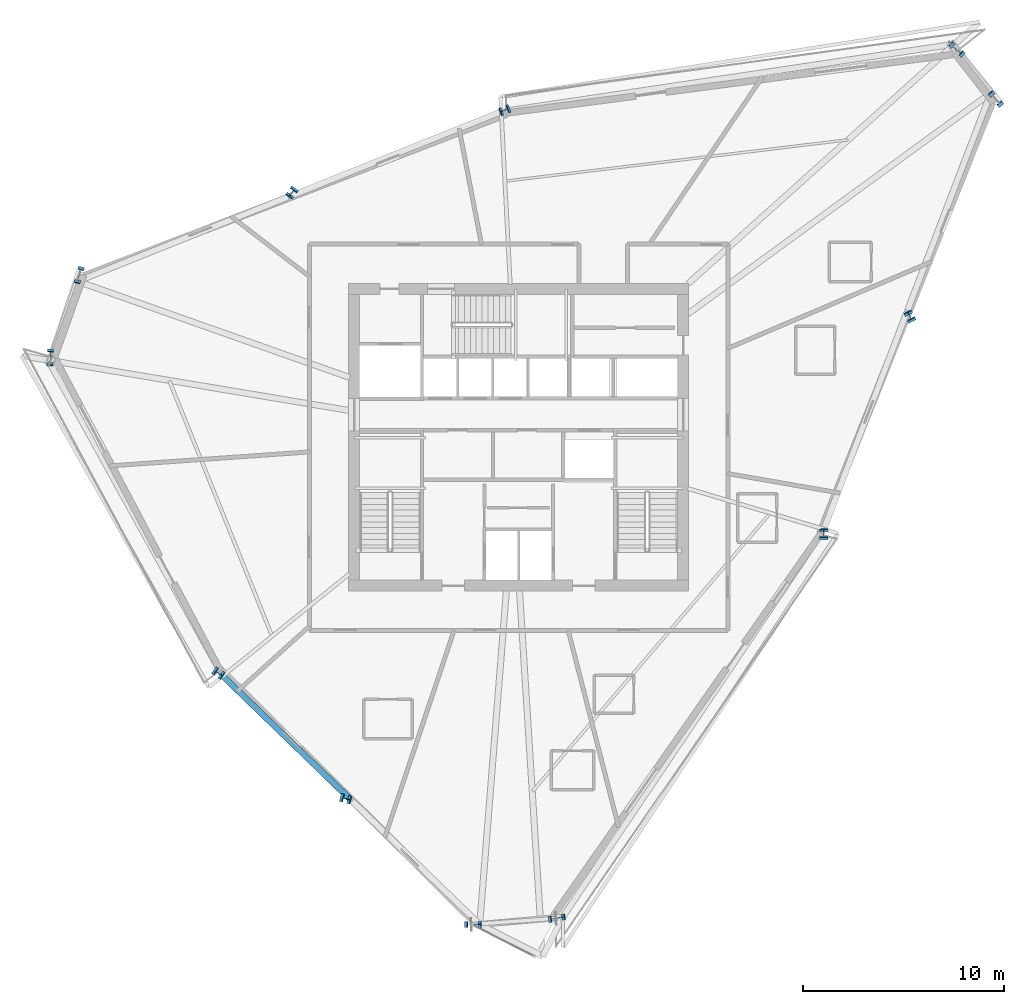
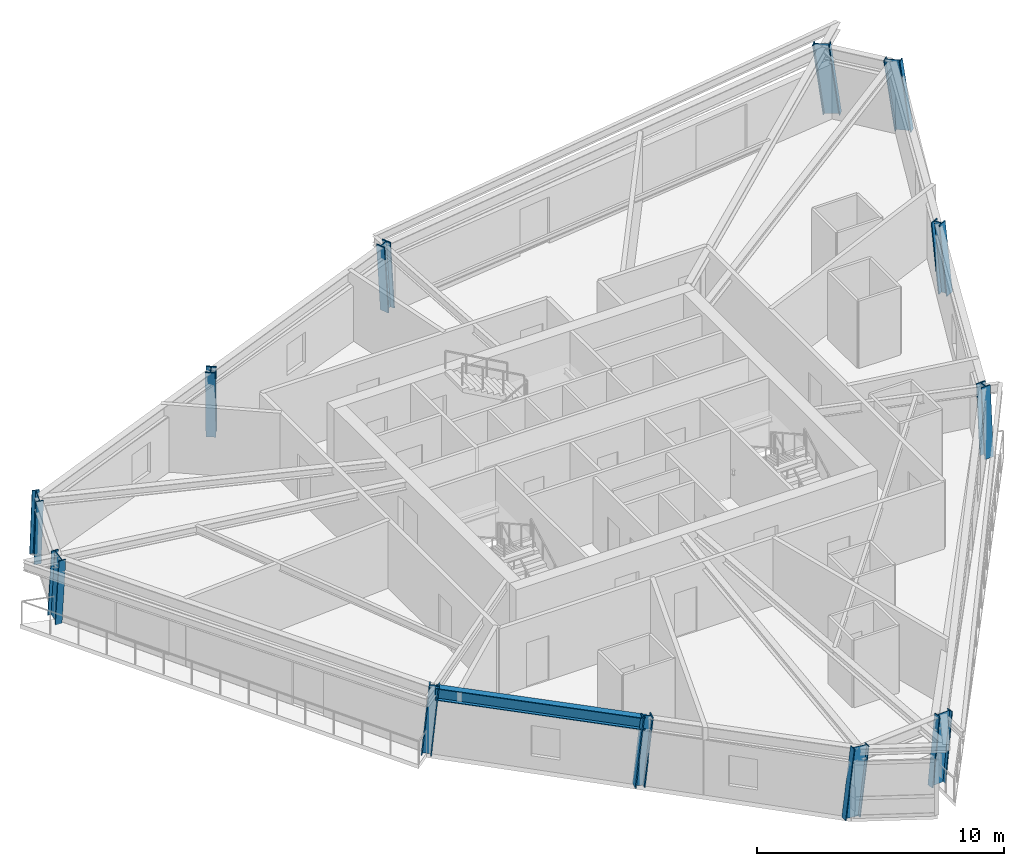
# One storey, part 1 of 13: 12 columns, 1 beam.
"""IFC4 building model written with IfcOpenShell, lengths in metres."""

from ifc_helpers import new_model, si_unit, direction, frame, origin, origin_2d, place, context, subcontext, project, spatial, i_section, extrude, source, transform, mapped, material, material_profile, profile_set, type_object, element, save


model = new_model("IFC4")

# Units and contexts
model_context = context("Model", 3, precision=1e-05, world=origin(), true_north=direction((0.0, 1.0)))
body_context = subcontext(model_context, "Body", "Model", "MODEL_VIEW")
ifc_project = project(units=[si_unit("LENGTHUNIT", "METRE"), si_unit("AREAUNIT", "SQUARE_METRE"), si_unit("VOLUMEUNIT", "CUBIC_METRE"), si_unit("PLANEANGLEUNIT", "RADIAN"), si_unit("MASSUNIT", "GRAM", prefix="KILO")], contexts=[model_context])

# Site, building, storey
site_placement = place(None, origin())
site = spatial("IfcSite", under=ifc_project, at=site_placement, CompositionType="ELEMENT")
building_placement = place(site_placement, origin())
building = spatial("IfcBuilding", under=site, at=building_placement, Name="Olszyna Solenne Hotel", CompositionType="ELEMENT")
storey_placement = place(building_placement, frame((0.0, 0.0, 189.199951171875)))
storey = spatial("IfcBuildingStorey", under=building, at=storey_placement, Name="L50", CompositionType="ELEMENT", Elevation=189.199951171875)

# Columns
ifc_material_1 = material(Name="Steel S460M", Category="steel")
ifc_material_profile_1 = material_profile(ifc_material_1, i_section(OverallWidth=0.303955078125, OverallDepth=0.716064453125, WebThickness=0.02099609375, FlangeThickness=0.0400390625, at=origin_2d()), Name="HEM 700", Category="load-bearing")
ifc_profile_set_1 = profile_set([ifc_material_profile_1], Name="Steel S460M")
column_type_1 = type_object("IfcColumnType", Name="COL-K2", PredefinedType="COLUMN", material=ifc_profile_set_1)
shared_shape_1 = source(origin(), body_context, "Body", "SweptSolid", [
    extrude(i_section(OverallWidth=0.303955078125, OverallDepth=0.716064453125, WebThickness=0.02099609375, FlangeThickness=0.0400390625, at=origin_2d()), origin(), (0.0, 0.0, 1.0), 3.40380859375),
])
column_1_placement = place(storey_placement, frame((39.833984375, 2.68798828125, 0.0), z_axis=(0.103498034536, 0.018576570301, 0.994456166899), x_axis=(-0.176664062794, 0.984271206994, 0.0)))
element("IfcColumn", 1, at=column_1_placement, inside=storey, type_object=column_type_1, Name="Perimeter framed-tube column COL-K2 C-L50-10", PredefinedType="COLUMN", context=body_context, shape_type="MappedRepresentation", body=[
    mapped(shared_shape_1, transform((0.0, 0.0, 0.0), x_axis=(1.0, 0.0, 0.0), y_axis=(0.0, 1.0, 0.0), z_axis=(0.0, 0.0, 1.0), scale=1.0)),
])
ifc_material_profile_2 = material_profile(ifc_material_1, i_section(OverallWidth=0.412109375, OverallDepth=0.43505859375, WebThickness=0.031494140625, FlangeThickness=0.050048828125, at=origin_2d()), Name="HD 400x463", Category="load-bearing")
ifc_profile_set_2 = profile_set([ifc_material_profile_2], Name="Steel S460M")
column_type_2 = type_object("IfcColumnType", Name="COL-T3", PredefinedType="COLUMN", material=ifc_profile_set_2)
shared_shape_2 = source(origin(), body_context, "Body", "SweptSolid", [
    extrude(i_section(OverallWidth=0.412109375, OverallDepth=0.43505859375, WebThickness=0.031494140625, FlangeThickness=0.050048828125, at=origin_2d()), origin(), (0.0, 0.0, 1.0), 3.395751953125),
])
column_2_placement = place(storey_placement, frame((53.16357421875, 21.7431640625, 0.0), z_axis=(-0.001509764212, 0.079873716149, 0.996803847344), x_axis=(-0.999821407128, -0.018898514446, 0.0)))
element("IfcColumn", 2, at=column_2_placement, inside=storey, type_object=column_type_2, Name="Perimeter framed-tube column COL-T3 C-L50-11", PredefinedType="COLUMN", context=body_context, shape_type="MappedRepresentation", body=[
    mapped(shared_shape_2, transform((0.0, 0.0, 0.0), x_axis=(1.0, 0.0, 0.0), y_axis=(0.0, 1.0, 0.0), z_axis=(0.0, 0.0, 1.0), scale=1.0)),
])
shared_shape_3 = source(origin(), body_context, "Body", "SweptSolid", [
    extrude(i_section(OverallWidth=0.412109375, OverallDepth=0.43505859375, WebThickness=0.031494140625, FlangeThickness=0.050048828125, at=origin_2d()), origin(), (0.0, 0.0, 1.0), 3.4033203125),
])
column_3_placement = place(storey_placement, frame((57.4677734375, 32.54443359375, 0.0), z_axis=(-0.046628569909, 0.092468040943, 0.994623264293), x_axis=(-0.892898044648, -0.450258905369, 0.0)))
element("IfcColumn", 3, at=column_3_placement, inside=storey, type_object=column_type_2, Name="Perimeter framed-tube column COL-T3 C-L50-12", PredefinedType="COLUMN", context=body_context, shape_type="MappedRepresentation", body=[
    mapped(shared_shape_3, transform((0.0, 0.0, 0.0), x_axis=(1.0, 0.0, 0.0), y_axis=(0.0, 1.0, 0.0), z_axis=(0.0, 0.0, 1.0), scale=1.0)),
])
shared_shape_4 = source(origin(), body_context, "Body", "SweptSolid", [
    extrude(i_section(OverallWidth=0.303955078125, OverallDepth=0.716064453125, WebThickness=0.02099609375, FlangeThickness=0.0400390625, at=origin_2d()), origin(), (0.0, 0.0, 1.0), 3.40283203125),
])
column_4_placement = place(storey_placement, frame((14.718505859375, 30.630615234375, 0.0), z_axis=(-0.005955083855, -0.101810409526, 0.994785995824), x_axis=(0.998293726081, -0.058392092505, 0.0)))
element("IfcColumn", 4, at=column_4_placement, inside=storey, type_object=column_type_1, Name="Perimeter framed-tube column COL-K2 C-L50-06", PredefinedType="COLUMN", context=body_context, shape_type="MappedRepresentation", body=[
    mapped(shared_shape_4, transform((0.0, 0.0, 0.0), x_axis=(1.0, 0.0, 0.0), y_axis=(0.0, 1.0, 0.0), z_axis=(0.0, 0.0, 1.0), scale=1.0)),
])
shared_shape_5 = source(origin(), body_context, "Body", "SweptSolid", [
    extrude(i_section(OverallWidth=0.303955078125, OverallDepth=0.716064453125, WebThickness=0.02099609375, FlangeThickness=0.0400390625, at=origin_2d()), origin(), (0.0, 0.0, 1.0), 3.40966796875),
])
column_5_placement = place(storey_placement, frame((35.656005859375, 2.388427734375, 0.0), z_axis=(0.119794586883, 0.000572837236, 0.992798533848), x_axis=(-0.00478177438, 0.999988567252, 0.0)))
element("IfcColumn", 5, at=column_5_placement, inside=storey, type_object=column_type_1, Name="Perimeter framed-tube column COL-K2 C-L50-09", PredefinedType="COLUMN", context=body_context, shape_type="MappedRepresentation", body=[
    mapped(shared_shape_5, transform((0.0, 0.0, 0.0), x_axis=(1.0, 0.0, 0.0), y_axis=(0.0, 1.0, 0.0), z_axis=(0.0, 0.0, 1.0), scale=1.0)),
])
shared_shape_6 = source(origin(), body_context, "Body", "SweptSolid", [
    extrude(i_section(OverallWidth=0.303955078125, OverallDepth=0.716064453125, WebThickness=0.02099609375, FlangeThickness=0.0400390625, at=origin_2d()), origin(), (0.0, 0.0, 1.0), 3.413818359375),
])
column_6_placement = place(storey_placement, frame((59.842529296875, 45.81982421875, 0.0), z_axis=(-0.095689436371, 0.087250457677, 0.991579996471), x_axis=(-0.673771596973, -0.738939669467, 0.0)))
element("IfcColumn", 6, at=column_6_placement, inside=storey, type_object=column_type_1, Name="Perimeter framed-tube column COL-K2 C-L50-02", PredefinedType="COLUMN", context=body_context, shape_type="MappedRepresentation", body=[
    mapped(shared_shape_6, transform((0.0, 0.0, 0.0), x_axis=(1.0, 0.0, 0.0), y_axis=(0.0, 1.0, 0.0), z_axis=(0.0, 0.0, 1.0), scale=1.0)),
])
shared_shape_7 = source(origin(), body_context, "Body", "SweptSolid", [
    extrude(i_section(OverallWidth=0.303955078125, OverallDepth=0.716064453125, WebThickness=0.02099609375, FlangeThickness=0.0400390625, at=origin_2d()), origin(), (0.0, 0.0, 1.0), 3.4072265625),
])
column_7_placement = place(storey_placement, frame((16.177001953125, 34.727294921875, 0.0), z_axis=(-0.02987997958, -0.109918198262, 0.993491407367), x_axis=(0.964981243116, -0.26231889073, 0.0)))
element("IfcColumn", 7, at=column_7_placement, inside=storey, type_object=column_type_1, Name="Perimeter framed-tube column COL-K2 C-L50-05", PredefinedType="COLUMN", context=body_context, shape_type="MappedRepresentation", body=[
    mapped(shared_shape_7, transform((0.0, 0.0, 0.0), x_axis=(1.0, 0.0, 0.0), y_axis=(0.0, 1.0, 0.0), z_axis=(0.0, 0.0, 1.0), scale=1.0)),
])
shared_shape_8 = source(origin(), body_context, "Body", "SweptSolid", [
    extrude(i_section(OverallWidth=0.303955078125, OverallDepth=0.716064453125, WebThickness=0.02099609375, FlangeThickness=0.0400390625, at=origin_2d()), origin(), (0.0, 0.0, 1.0), 3.418212890625),
])
column_8_placement = place(storey_placement, frame((61.772216796875, 43.345703125, 0.0), z_axis=(-0.091350364073, 0.10484936236, 0.990283657442), x_axis=(-0.75397491374, -0.656903211631, 0.0)))
element("IfcColumn", 8, at=column_8_placement, inside=storey, type_object=column_type_1, Name="Perimeter framed-tube column COL-K2 C-L50-01", PredefinedType="COLUMN", context=body_context, shape_type="MappedRepresentation", body=[
    mapped(shared_shape_8, transform((0.0, 0.0, 0.0), x_axis=(1.0, 0.0, 0.0), y_axis=(0.0, 1.0, 0.0), z_axis=(0.0, 0.0, 1.0), scale=1.0)),
])
shared_shape_9 = source(origin(), body_context, "Body", "SweptSolid", [
    extrude(i_section(OverallWidth=0.412109375, OverallDepth=0.43505859375, WebThickness=0.031494140625, FlangeThickness=0.050048828125, at=origin_2d()), origin(), (0.0, 0.0, 1.0), 3.39501953125),
])
column_9_placement = place(storey_placement, frame((37.349365234375, 42.873046875, 0.0), z_axis=(-0.071192017009, -0.028764451317, 0.997047793767), x_axis=(0.374617894384, -0.927179288599, 0.0)))
element("IfcColumn", 9, at=column_9_placement, inside=storey, type_object=column_type_2, Name="Perimeter framed-tube column COL-T3 C-L50-03", PredefinedType="COLUMN", context=body_context, shape_type="MappedRepresentation", body=[
    mapped(shared_shape_9, transform((0.0, 0.0, 0.0), x_axis=(1.0, 0.0, 0.0), y_axis=(0.0, 1.0, 0.0), z_axis=(0.0, 0.0, 1.0), scale=1.0)),
])
shared_shape_10 = source(origin(), body_context, "Body", "SweptSolid", [
    extrude(i_section(OverallWidth=0.412109375, OverallDepth=0.43505859375, WebThickness=0.031494140625, FlangeThickness=0.050048828125, at=origin_2d()), origin(), (0.0, 0.0, 1.0), 3.402587890625),
])
column_10_placement = place(storey_placement, frame((29.34423828125, 8.650390625, 0.0), z_axis=(0.098157072881, -0.025472047422, 0.994844894365), x_axis=(0.251183150489, 0.967939577097, 0.0)))
element("IfcColumn", 10, at=column_10_placement, inside=storey, type_object=column_type_2, Name="Perimeter framed-tube column COL-T3 C-L50-08", PredefinedType="COLUMN", context=body_context, shape_type="MappedRepresentation", body=[
    mapped(shared_shape_10, transform((0.0, 0.0, 0.0), x_axis=(1.0, 0.0, 0.0), y_axis=(0.0, 1.0, 0.0), z_axis=(0.0, 0.0, 1.0), scale=1.0)),
])
shared_shape_11 = source(origin(), body_context, "Body", "SweptSolid", [
    extrude(i_section(OverallWidth=0.412109375, OverallDepth=0.43505859375, WebThickness=0.031494140625, FlangeThickness=0.050048828125, at=origin_2d()), origin(), (0.0, 0.0, 1.0), 3.3974609375),
])
column_11_placement = place(storey_placement, frame((26.76318359375, 38.80029296875, 0.0), z_axis=(-0.050587437703, -0.069485869686, 0.996299465553), x_axis=(0.808446763279, -0.58856930853, 0.0)))
element("IfcColumn", 11, at=column_11_placement, inside=storey, type_object=column_type_2, Name="Perimeter framed-tube column COL-T3 C-L50-04", PredefinedType="COLUMN", context=body_context, shape_type="MappedRepresentation", body=[
    mapped(shared_shape_11, transform((0.0, 0.0, 0.0), x_axis=(1.0, 0.0, 0.0), y_axis=(0.0, 1.0, 0.0), z_axis=(0.0, 0.0, 1.0), scale=1.0)),
])
shared_shape_12 = source(origin(), body_context, "Body", "SweptSolid", [
    extrude(i_section(OverallWidth=0.412109375, OverallDepth=0.43505859375, WebThickness=0.031494140625, FlangeThickness=0.050048828125, at=origin_2d()), origin(), (0.0, 0.0, 1.0), 3.3994140625),
])
column_12_placement = place(storey_placement, frame((23.03271484375, 14.912353515625, 0.0), z_axis=(0.076270435651, -0.051565134461, 0.99575290989), x_axis=(0.560088984388, 0.828432453231, 0.0)))
element("IfcColumn", 12, at=column_12_placement, inside=storey, type_object=column_type_2, Name="Perimeter framed-tube column COL-T3 C-L50-07", PredefinedType="COLUMN", context=body_context, shape_type="MappedRepresentation", body=[
    mapped(shared_shape_12, transform((0.0, 0.0, 0.0), x_axis=(1.0, 0.0, 0.0), y_axis=(0.0, 1.0, 0.0), z_axis=(0.0, 0.0, 1.0), scale=1.0)),
])

# Beam
ifc_material_2 = material(Name="Steel S355J2", Category="steel")
ifc_material_profile_3 = material_profile(ifc_material_2, i_section(OverallWidth=0.300048828125, OverallDepth=0.60009765625, WebThickness=0.015380859375, FlangeThickness=0.030029296875, at=origin_2d()), Name="HEB 600", Category="load-bearing")
ifc_profile_set_3 = profile_set([ifc_material_profile_3], Name="Steel S355J2")
beam_type = type_object("IfcBeamType", Name="BM-S2", PredefinedType="BEAM", material=ifc_profile_set_3)
shared_shape_13 = source(origin(), body_context, "Body", "SweptSolid", [
    extrude(i_section(OverallWidth=0.300048828125, OverallDepth=0.60009765625, WebThickness=0.015380859375, FlangeThickness=0.030029296875, at=origin_2d()), origin(), (0.0, 0.0, 1.0), 8.761962890625),
])
beam_placement = place(storey_placement, frame((23.335205078125, 14.6953125, 3.030029296875), z_axis=(0.718986519555, -0.695024017353, 0.0), x_axis=(0.695024017353, 0.718986519555, 0.0)))
element("IfcBeam", 13, at=beam_placement, inside=storey, type_object=beam_type, Name="Perimeter spandrel beam BM-S2 B-L50-1488", PredefinedType="BEAM", context=body_context, shape_type="MappedRepresentation", body=[
    mapped(shared_shape_13, transform((0.0, 0.0, 0.0), x_axis=(1.0, 0.0, 0.0), y_axis=(0.0, 1.0, 0.0), z_axis=(0.0, 0.0, 1.0), scale=1.0)),
])

save(model, "model.ifc")
